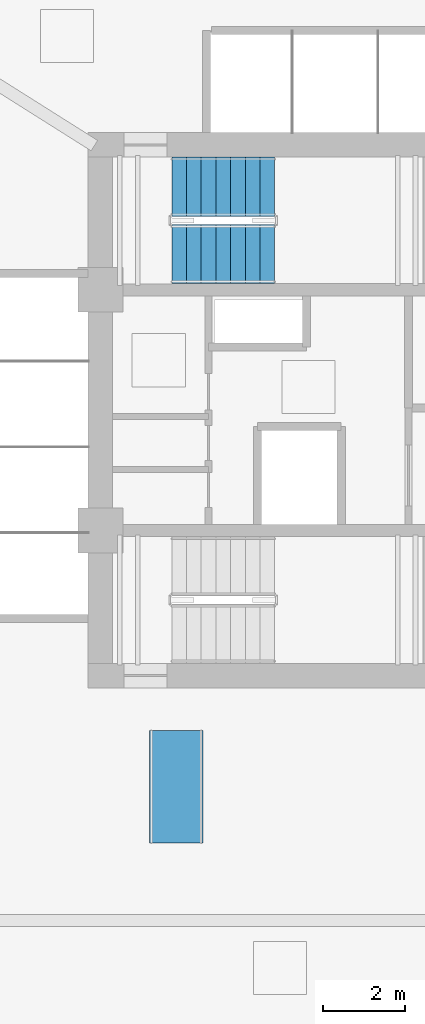
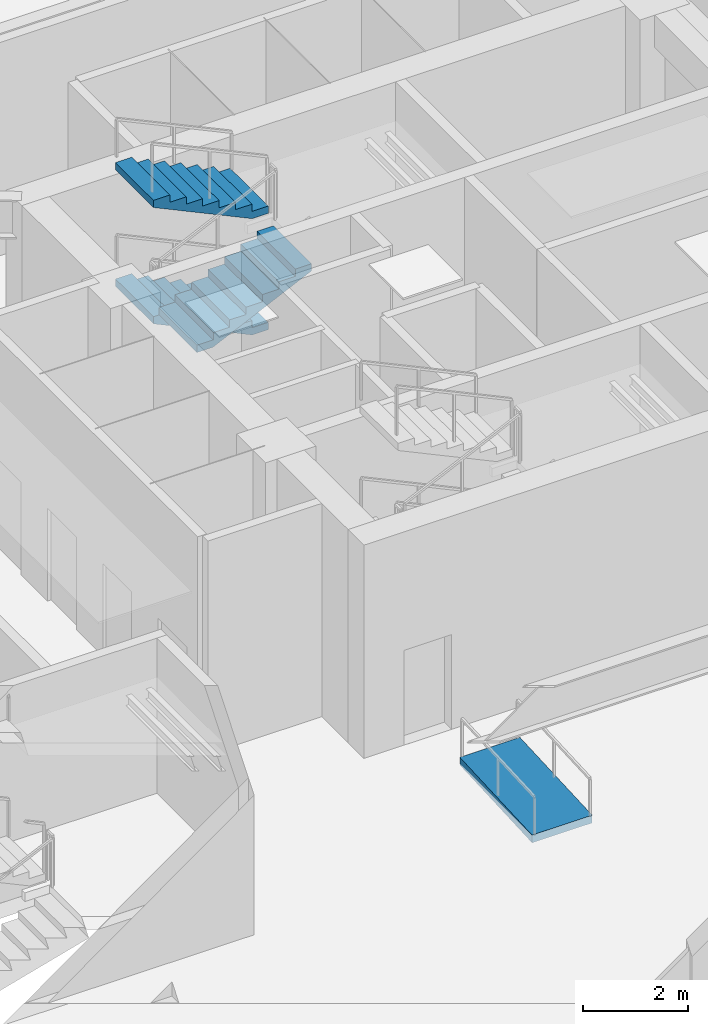
# One storey, part 6 of 13: 3 stair flights, 1 ramp flight, 2 elements without a shape of their own.
"""IFC4 building model written with IfcOpenShell, lengths in metres."""

from ifc_helpers import new_model, si_unit, direction, frame, origin, place, context, subcontext, project, spatial, polyline, outline, extrude, material, layer, layer_set, type_object, element, aggregate, save


model = new_model("IFC4")

# Units and contexts
model_context = context("Model", 3, precision=1e-05, world=origin(), true_north=direction((0.0, 1.0)))
body_context = subcontext(model_context, "Body", "Model", "MODEL_VIEW")
ifc_project = project(units=[si_unit("LENGTHUNIT", "METRE"), si_unit("AREAUNIT", "SQUARE_METRE"), si_unit("VOLUMEUNIT", "CUBIC_METRE"), si_unit("PLANEANGLEUNIT", "RADIAN"), si_unit("MASSUNIT", "GRAM", prefix="KILO")], contexts=[model_context])

# Site, building, storey
site_placement = place(None, origin())
site = spatial("IfcSite", under=ifc_project, at=site_placement, CompositionType="ELEMENT")
building_placement = place(site_placement, origin())
building = spatial("IfcBuilding", under=site, at=building_placement, Name="Tavelor Broadcast Tower", CompositionType="ELEMENT")
storey_placement = place(building_placement, frame((0.0, 0.0, 16.800048828125)))
storey = spatial("IfcBuildingStorey", under=building, at=storey_placement, Name="L03", CompositionType="ELEMENT", Elevation=16.800048828125)

# Stair, stair flights
ifc_material = material(Name="Concrete C40/50", Category="concrete")
stair_type = type_object("IfcStairType", Name="Reinforced Concrete Protected Dogleg Stair 1450 mm", PredefinedType="HALF_TURN_STAIR", material=ifc_material)
stair_placement = place(storey_placement, origin())
stair = element("IfcStair", 1, at=stair_placement, inside=storey, type_object=stair_type, Name="L03 Protected Core Exit Stair ST1", PredefinedType="HALF_TURN_STAIR")
stair_flight_type = type_object("IfcStairFlightType", Name="Reinforced Concrete Stair Flight 1450 mm", PredefinedType="STRAIGHT", material=ifc_material)
stair_flight_1_placement = place(storey_placement, frame((47.3701171875, 50.47509765625, 1.349853515625), z_axis=(0.0, 0.0, 1.0), x_axis=(-1.0, 0.0, 0.0)))
stair_flight_1 = element("IfcStairFlight", 2, at=stair_flight_1_placement, type_object=stair_flight_type, Name="ST1 flight 2", NumberOfRisers=8, NumberOfTreads=7, PredefinedType="STRAIGHT", RiserHeight=0.16875, TreadLength=0.36, context=body_context, shape_type="SweptSolid", body=[
    extrude(outline(polyline([(0.0, 0.0), (0.0, 0.168701171875), (0.360107421875, 0.168701171875), (0.360107421875, 0.33740234375), (0.719970703125, 0.33740234375), (0.719970703125, 0.50634765625), (1.080078125, 0.50634765625), (1.080078125, 0.675048828125), (1.43994140625, 0.675048828125), (1.43994140625, 0.84375), (1.800048828125, 0.84375), (1.800048828125, 1.012451171875), (2.159912109375, 1.012451171875), (2.159912109375, 1.18115234375), (2.52001953125, 1.18115234375), (2.52001953125, 1.35009765625), (2.52001953125, 1.015625), (0.353271484375, 0.0), (0.0, 0.0)])), frame((0.0, 0.72509765625, 0.0), z_axis=(0.0, -1.0, 0.0), x_axis=(1.0, 0.0, 0.0)), (0.0, 0.0, 1.0), 1.449951171875),
])
stair_flight_2_placement = place(storey_placement, frame((44.85009765625, 48.824951171875, 2.699951171875), z_axis=(0.0, 0.0, 1.0), x_axis=(1.0, 0.0, 0.0)))
stair_flight_2 = element("IfcStairFlight", 3, at=stair_flight_2_placement, type_object=stair_flight_type, Name="ST1 flight 3", NumberOfRisers=8, NumberOfTreads=7, PredefinedType="STRAIGHT", RiserHeight=0.16875, TreadLength=0.36, context=body_context, shape_type="SweptSolid", body=[
    extrude(outline(polyline([(0.0, 0.0), (0.0, 0.168701171875), (0.360107421875, 0.168701171875), (0.360107421875, 0.33740234375), (0.719970703125, 0.33740234375), (0.719970703125, 0.50634765625), (1.080078125, 0.50634765625), (1.080078125, 0.675048828125), (1.43994140625, 0.675048828125), (1.43994140625, 0.84375), (1.800048828125, 0.84375), (1.800048828125, 1.012451171875), (2.159912109375, 1.012451171875), (2.159912109375, 1.18115234375), (2.52001953125, 1.18115234375), (2.52001953125, 1.35009765625), (2.52001953125, 1.015625), (0.353271484375, 0.0), (0.0, 0.0)])), frame((0.0, 0.72509765625, 0.0), z_axis=(0.0, -1.0, 0.0), x_axis=(1.0, 0.0, 0.0)), (0.0, 0.0, 1.0), 1.449951171875),
])
stair_flight_3_placement = place(storey_placement, frame((47.3701171875, 50.47509765625, 4.050048828125), z_axis=(0.0, 0.0, 1.0), x_axis=(-1.0, 0.0, 0.0)))
stair_flight_3 = element("IfcStairFlight", 4, at=stair_flight_3_placement, type_object=stair_flight_type, Name="ST1 flight 4", NumberOfRisers=8, NumberOfTreads=7, PredefinedType="STRAIGHT", RiserHeight=0.16875, TreadLength=0.36, context=body_context, shape_type="SweptSolid", body=[
    extrude(outline(polyline([(0.0, 0.0), (0.0, 0.168701171875), (0.360107421875, 0.168701171875), (0.360107421875, 0.33740234375), (0.719970703125, 0.33740234375), (0.719970703125, 0.50634765625), (1.080078125, 0.50634765625), (1.080078125, 0.675048828125), (1.43994140625, 0.675048828125), (1.43994140625, 0.84375), (1.800048828125, 0.84375), (1.800048828125, 1.012451171875), (2.159912109375, 1.012451171875), (2.159912109375, 1.18115234375), (2.52001953125, 1.18115234375), (2.52001953125, 1.35009765625), (2.52001953125, 1.015625), (0.353271484375, 0.0), (0.0, 0.0)])), frame((0.0, 0.72509765625, 0.0), z_axis=(0.0, -1.0, 0.0), x_axis=(1.0, 0.0, 0.0)), (0.0, 0.0, 1.0), 1.449951171875),
])
aggregate(stair, [stair_flight_1, stair_flight_2, stair_flight_3])

# Ramp, ramp flight
ramp_type = type_object("IfcRampType", Name="Accessible Step-Free Studio Threshold Ramp 1600 mm", PredefinedType="STRAIGHT_RUN_RAMP", material=ifc_material)
ramp_placement = place(storey_placement, origin())
ramp = element("IfcRamp", 5, at=ramp_placement, inside=storey, type_object=ramp_type, Name="L03 Accessible Pedestrian Concourse Ramp AR04", PredefinedType="STRAIGHT_RUN_RAMP")
ifc_layer = layer(ifc_material, 0.179931640625)
ifc_layer_set = layer_set([ifc_layer], Name="Concrete C40/50")
ramp_flight_type = type_object("IfcRampFlightType", Name="Accessible Studio Threshold Ramp Flight 180 mm", PredefinedType="STRAIGHT", material=ifc_layer_set)
ramp_flight_placement = place(storey_placement, frame((44.300048828125, 34.39990234375, 0.0), z_axis=(0.0, 0.0, 1.0), x_axis=(0.0, 1.0, 0.0)))
ramp_flight = element("IfcRampFlight", 6, at=ramp_flight_placement, type_object=ramp_flight_type, Name="L03 Accessible Pedestrian Ramp Flight AR04-F1", PredefinedType="STRAIGHT", context=body_context, shape_type="SweptSolid", body=[
    extrude(outline(polyline([(0.0, -0.179931640625), (2.75, -0.0400390625), (2.75, 0.139892578125), (0.0, 0.0), (0.0, -0.179931640625)])), frame((0.0, 0.0, 0.0), z_axis=(0.0, -1.0, 0.0), x_axis=(1.0, 0.0, 0.0)), (0.0, 0.0, 1.0), 1.320068359375),
])
aggregate(ramp, [ramp_flight])

save(model, "model.ifc")
